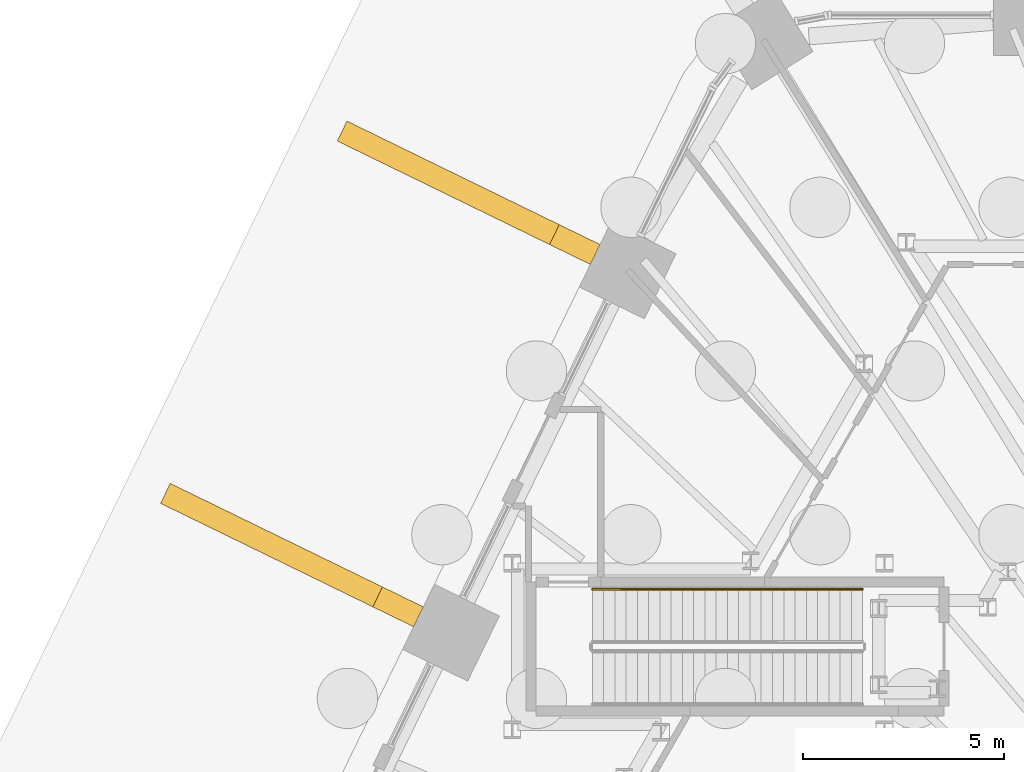
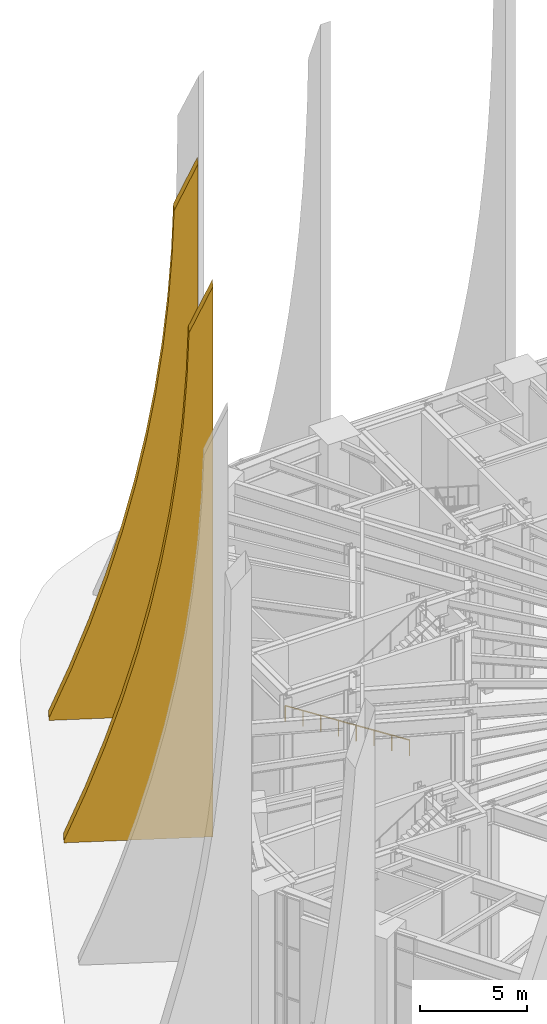
# One storey, part 37 of 43: 2 shading devices, 1 railing.
"""IFC4 building model written with IfcOpenShell, lengths in metres."""

from ifc_helpers import new_model, si_unit, direction, frame, origin, origin_2d, place, context, subcontext, project, spatial, polyline, circle, outline, extrude, material, layer, layer_set, type_object, element, save


model = new_model("IFC4")

# Units and contexts
model_context = context("Model", 3, precision=1e-05, world=origin(), true_north=direction((0.0, 1.0)))
body_context = subcontext(model_context, "Body", "Model", "MODEL_VIEW")
ifc_project = project(units=[si_unit("LENGTHUNIT", "METRE"), si_unit("AREAUNIT", "SQUARE_METRE"), si_unit("VOLUMEUNIT", "CUBIC_METRE"), si_unit("PLANEANGLEUNIT", "RADIAN"), si_unit("MASSUNIT", "GRAM", prefix="KILO")], contexts=[model_context])

# Site, building, storey
site_placement = place(None, origin())
site = spatial("IfcSite", under=ifc_project, at=site_placement, CompositionType="ELEMENT")
building_placement = place(site_placement, origin())
building = spatial("IfcBuilding", under=site, at=building_placement, Name="Tarnside Tower", CompositionType="ELEMENT")
storey_placement = place(building_placement, origin())
storey = spatial("IfcBuildingStorey", under=building, at=storey_placement, Name="L00", CompositionType="ELEMENT", Elevation=0.0)

# Shading devices
ifc_material_1 = material(Name="Concrete C50/60 white precast", Category="concrete")
ifc_layer = layer(ifc_material_1, 0.550048828125)
ifc_layer_set = layer_set([ifc_layer], Name="Flared precast fin root 7000")
shading_device_type = type_object("IfcShadingDeviceType", Name="Flared precast fin root 7000", PredefinedType="USERDEFINED", material=ifc_layer_set)
for number, where, z_axis, x_axis, name in (
    (1, (-22.038818359375, 23.248779296875, 0.0), (0.438371146789, 0.898794046299, 0.0), (-0.898794046299, 0.438371146789, 0.0), "Flared fin root M05"),
    (2, (-26.432861328125, 14.23974609375, 0.0), (0.438371146789, 0.898794046299, 0.0), (-0.898794046299, 0.438371146789, 0.0), "Flared fin root M06"),
):
    element("IfcShadingDevice", number, at=place(storey_placement, frame(where, z_axis=z_axis, x_axis=x_axis)), inside=storey, type_object=shading_device_type, Name=name, ObjectType="FIN", PredefinedType="USERDEFINED", context=body_context, shape_type="SweptSolid", body=[
        extrude(outline(polyline([(0.0, 0.0), (7.0, 0.0), (7.0, 0.14990234375), (5.99462890625, 2.762451171875), (5.089111328125, 5.375), (4.281494140625, 7.987548828125), (3.57080078125, 10.60009765625), (2.954833984375, 13.21240234375), (2.432373046875, 15.824951171875), (2.000732421875, 18.4375), (1.657958984375, 21.050048828125), (1.40087890625, 23.66259765625), (1.22607421875, 26.27490234375), (1.12841796875, 28.887451171875), (0.0, 31.5), (0.0, 0.0)])), frame((0.0, 0.0, -0.27490234375)), (0.0, 0.0, 1.0), 0.550048828125),
    ])

# Railing
ifc_material_2 = material(Name="Stainless steel", Category="steel")
railing_type = type_object("IfcRailingType", Name="Podium stair handrail 900", PredefinedType="HANDRAIL", material=ifc_material_2)
railing_placement = place(storey_placement, frame((-15.389892578125, 14.925048828125, 0.179931640625)))
element("IfcRailing", 3, at=railing_placement, inside=storey, type_object=railing_type, Name="L00 PS6 stair handrail 1", PredefinedType="HANDRAIL", context=body_context, shape_type="SweptSolid", body=[
    extrude(circle(Radius=0.02392578125, at=origin_2d()), frame((0.0, 0.0, 0.8857421875), z_axis=(-0.841182446993, 0.0, 0.540751413193), x_axis=(0.0, -1.0, 0.0)), (0.0, 0.0, 1.0), 7.989013671875),
    extrude(circle(Radius=0.02099609375, at=origin_2d()), origin(), (0.0, 0.0, 1.0), 0.86181640625),
    extrude(circle(Radius=0.02099609375, at=origin_2d()), frame((-0.9599609375, 0.0, 0.6171875)), (0.0, 0.0, 1.0), 0.86181640625),
    extrude(circle(Radius=0.02099609375, at=origin_2d()), frame((-1.920166015625, 0.0, 1.234375)), (0.0, 0.0, 1.0), 0.86181640625),
    extrude(circle(Radius=0.02099609375, at=origin_2d()), frame((-2.880126953125, 0.0, 1.8515625)), (0.0, 0.0, 1.0), 0.86181640625),
    extrude(circle(Radius=0.02099609375, at=origin_2d()), frame((-3.840087890625, 0.0, 2.468505859375)), (0.0, 0.0, 1.0), 0.86181640625),
    extrude(circle(Radius=0.02099609375, at=origin_2d()), frame((-4.800048828125, 0.0, 3.085693359375)), (0.0, 0.0, 1.0), 0.86181640625),
    extrude(circle(Radius=0.02099609375, at=origin_2d()), frame((-5.76025390625, 0.0, 3.702880859375)), (0.0, 0.0, 1.0), 0.86181640625),
    extrude(circle(Radius=0.02099609375, at=origin_2d()), frame((-6.72021484375, 0.0, 4.320068359375)), (0.0, 0.0, 1.0), 0.86181640625),
])

save(model, "model.ifc")
